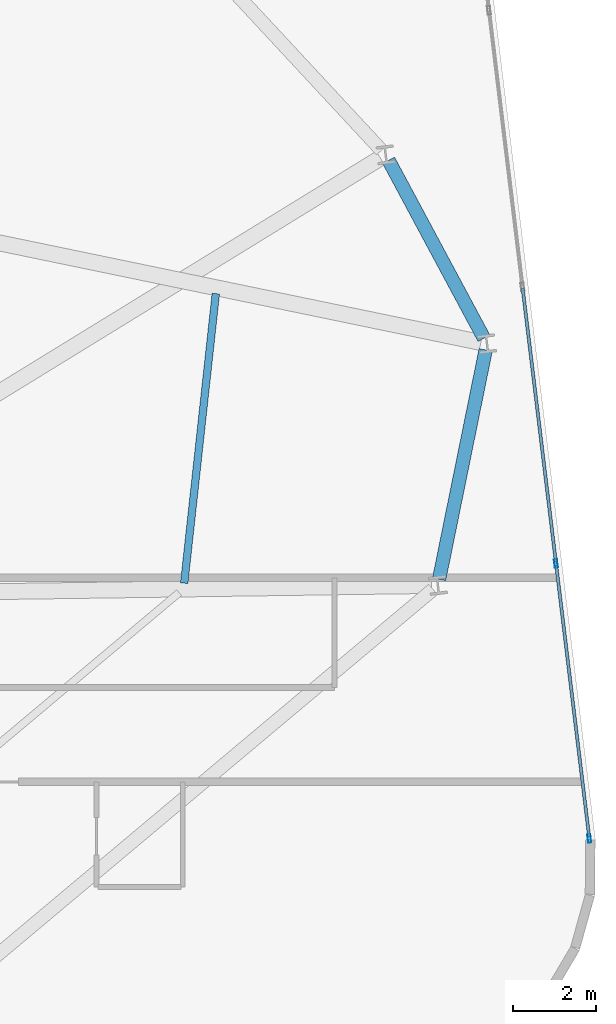
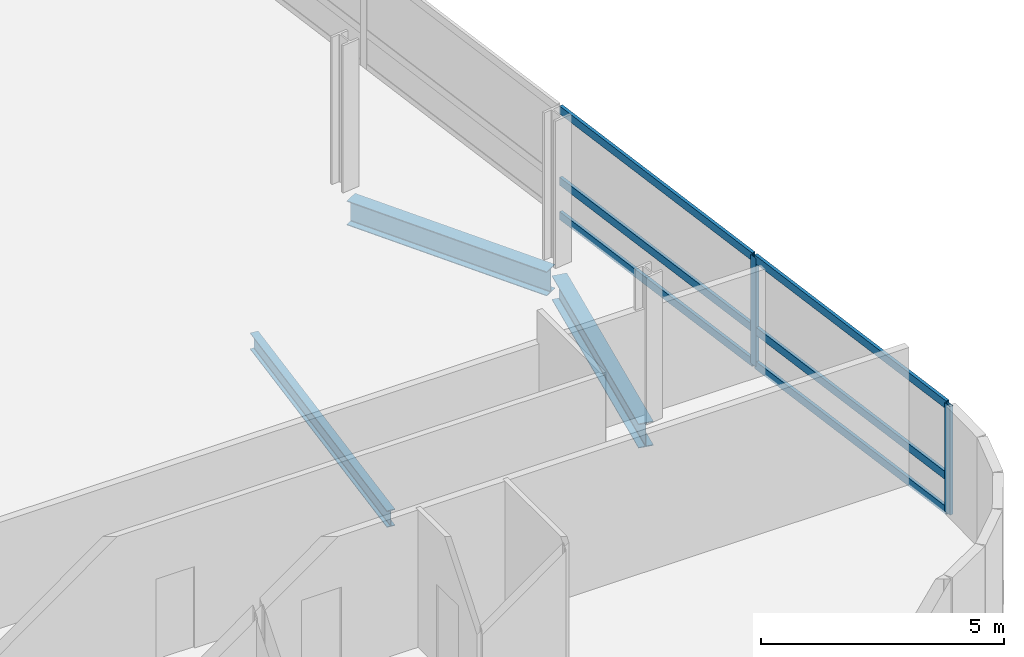
# One storey, part 10 of 23: 8 members, 3 beams, 1 element without a shape of its own.
"""IFC4 building model written with IfcOpenShell, lengths in metres."""

from ifc_helpers import new_model, si_unit, direction, frame, origin, origin_2d, place, context, subcontext, project, spatial, hollow_rectangle, i_section, extrude, material, layer, layer_set, material_profile, profile_set, type_object, element, aggregate, save


model = new_model("IFC4")

# Units and contexts
model_context = context("Model", 3, precision=1e-05, world=origin(), true_north=direction((0.0, 1.0)))
body_context = subcontext(model_context, "Body", "Model", "MODEL_VIEW")
ifc_project = project(units=[si_unit("LENGTHUNIT", "METRE"), si_unit("AREAUNIT", "SQUARE_METRE"), si_unit("VOLUMEUNIT", "CUBIC_METRE"), si_unit("PLANEANGLEUNIT", "RADIAN"), si_unit("MASSUNIT", "GRAM", prefix="KILO")], contexts=[model_context])

# Site, building, storey
site_placement = place(None, origin())
site = spatial("IfcSite", under=ifc_project, at=site_placement, CompositionType="ELEMENT")
building_placement = place(site_placement, origin())
building = spatial("IfcBuilding", under=site, at=building_placement, Name="Varnelok Gate Tower", CompositionType="ELEMENT")
storey_placement = place(building_placement, frame((0.0, 0.0, 200.5)))
storey = spatial("IfcBuildingStorey", under=building, at=storey_placement, Name="L51", CompositionType="ELEMENT", Elevation=200.5)

# Beams
ifc_material_1 = material(Name="Structural Steel ASTM A992 Grade 50", Category="steel")
ifc_material_profile_1 = material_profile(ifc_material_1, i_section(OverallWidth=0.180908203125, OverallDepth=0.4169921875, WebThickness=0.010986328125, FlangeThickness=0.018310546875, FilletRadius=0.013916015625, at=origin_2d()), Name="W16X57")
ifc_profile_set_1 = profile_set([ifc_material_profile_1], Name="Structural Steel ASTM A992 Grade 50")
beam_type_1 = type_object("IfcBeamType", Name="BM-JST-W16X57", PredefinedType="JOIST", material=ifc_profile_set_1)
beam_1_placement = place(storey_placement, frame((66.394775390625, 19.11279296875, -0.45849609375), z_axis=(0.108570611671, 0.994088739641, 0.0), x_axis=(-0.994088739641, 0.108570611671, 0.0)))
element("IfcBeam", 1, at=beam_1_placement, inside=storey, type_object=beam_type_1, Name="L51 Sector Floor Joist 6", PredefinedType="JOIST", context=body_context, shape_type="SweptSolid", body=[
    extrude(i_section(OverallWidth=0.180908203125, OverallDepth=0.4169921875, WebThickness=0.010986328125, FlangeThickness=0.018310546875, FilletRadius=0.013916015625, at=origin_2d()), origin(), (0.0, 0.0, 1.0), 6.984375),
])
ifc_material_profile_2 = material_profile(ifc_material_1, i_section(OverallWidth=0.323974609375, OverallDepth=0.611083984375, WebThickness=0.0126953125, FlangeThickness=0.01904296875, FilletRadius=0.01806640625, at=origin_2d()), Name="W24X104")
ifc_profile_set_2 = profile_set([ifc_material_profile_2], Name="Structural Steel ASTM A992 Grade 50")
beam_type_2 = type_object("IfcBeamType", Name="BM-SPN-W24X104", PredefinedType="SPANDREL", material=ifc_profile_set_2)
beam_2_placement = place(storey_placement, frame((72.5068359375, 19.206298828125, -0.555419921875), z_axis=(0.19911018886, 0.979977108249, 0.0), x_axis=(-0.979977108249, 0.19911018886, 0.0)))
element("IfcBeam", 2, at=beam_2_placement, inside=storey, type_object=beam_type_2, Name="L51 Perimeter Spandrel Beam 6", PredefinedType="SPANDREL", context=body_context, shape_type="SweptSolid", body=[
    extrude(i_section(OverallWidth=0.323974609375, OverallDepth=0.611083984375, WebThickness=0.0126953125, FlangeThickness=0.01904296875, FilletRadius=0.01806640625, at=origin_2d()), origin(), (0.0, 0.0, 1.0), 5.612060546875),
])
beam_3_placement = place(storey_placement, frame((73.583251953125, 24.9853515625, -0.555419921875), z_axis=(-0.472471917257, 0.881345725242, 0.0), x_axis=(-0.881345725242, -0.472471917257, 0.0)))
element("IfcBeam", 3, at=beam_3_placement, inside=storey, type_object=beam_type_2, Name="L51 Perimeter Spandrel Beam 7", PredefinedType="SPANDREL", context=body_context, shape_type="SweptSolid", body=[
    extrude(i_section(OverallWidth=0.323974609375, OverallDepth=0.611083984375, WebThickness=0.0126953125, FlangeThickness=0.01904296875, FilletRadius=0.01806640625, at=origin_2d()), origin(), (0.0, 0.0, 1.0), 4.8408203125),
])

# Curtain wall, members
ifc_material_2 = material(Name="Anodized Aluminum Alloy 6063-T6", Category="aluminium")
ifc_layer = layer(ifc_material_2, 0.179931640625)
ifc_layer_set = layer_set([ifc_layer], Name="Anodized Aluminum Alloy 6063-T6")
curtain_wall_type = type_object("IfcCurtainWallType", Name="CW4-RESIDENCE-VISION", PredefinedType="USERDEFINED", material=ifc_layer_set)
curtain_wall_placement = place(storey_placement, origin())
curtain_wall = element("IfcCurtainWall", 4, at=curtain_wall_placement, inside=storey, type_object=curtain_wall_type, Name="L51 East End Vision Curtain Wall", ObjectType="UNITISED CURTAIN WALL", PredefinedType="USERDEFINED")
ifc_material_profile_3 = material_profile(ifc_material_2, hollow_rectangle(XDim=0.074951171875, YDim=0.199951171875, WallThickness=0.00390625, at=origin_2d()), Name="ALU200X75X4")
ifc_profile_set_3 = profile_set([ifc_material_profile_3], Name="Anodized Aluminum Alloy 6063-T6")
member_type_1 = type_object("IfcMemberType", Name="CW-MULL-200", PredefinedType="MULLION", material=ifc_profile_set_3)
member_1_placement = place(storey_placement, frame((75.310302734375, 19.584228515625, 0.0), z_axis=(0.0, 0.0, 1.0), x_axis=(0.992732188751, 0.120344511371, 0.0)))
member_1 = element("IfcMember", 5, at=member_1_placement, type_object=member_type_1, Name="CW4 mullion 5", PredefinedType="MULLION", context=body_context, shape_type="SweptSolid", body=[
    extrude(hollow_rectangle(XDim=0.074951171875, YDim=0.199951171875, WallThickness=0.00390625, at=origin_2d()), origin(), (0.0, 0.0, 1.0), 2.72998046875),
])
member_2_placement = place(storey_placement, frame((76.109619140625, 12.989990234375, 0.0), z_axis=(0.0, 0.0, 1.0), x_axis=(0.992732188751, 0.120344511371, 0.0)))
member_2 = element("IfcMember", 6, at=member_2_placement, type_object=member_type_1, Name="CW4 mullion 6", PredefinedType="MULLION", context=body_context, shape_type="SweptSolid", body=[
    extrude(hollow_rectangle(XDim=0.074951171875, YDim=0.199951171875, WallThickness=0.00390625, at=origin_2d()), origin(), (0.0, 0.0, 1.0), 2.72998046875),
])
ifc_material_profile_4 = material_profile(ifc_material_2, hollow_rectangle(XDim=0.074951171875, YDim=0.199951171875, WallThickness=0.00390625, at=origin_2d()), Name="ALU200X75X4")
ifc_profile_set_4 = profile_set([ifc_material_profile_4], Name="Anodized Aluminum Alloy 6063-T6")
member_type_2 = type_object("IfcMemberType", Name="CW-TRAN-200", PredefinedType="USERDEFINED", material=ifc_profile_set_4)
member_3_placement = place(storey_placement, frame((74.510986328125, 26.178466796875, 0.03759765625), z_axis=(0.120349029092, -0.992731641078, 0.0), x_axis=(0.992731641078, 0.120349029092, 0.0)))
member_3 = element("IfcMember", 7, at=member_3_placement, type_object=member_type_2, Name="CW4 transom 4.1", ObjectType="TRANSOM", PredefinedType="USERDEFINED", context=body_context, shape_type="SweptSolid", body=[
    extrude(hollow_rectangle(XDim=0.074951171875, YDim=0.199951171875, WallThickness=0.00390625, at=origin_2d()), origin(), (0.0, 0.0, 1.0), 6.605224609375),
])
member_4_placement = place(storey_placement, frame((74.510986328125, 26.178466796875, 0.89990234375), z_axis=(0.120349029092, -0.992731641078, 0.0), x_axis=(0.992731641078, 0.120349029092, 0.0)))
member_4 = element("IfcMember", 8, at=member_4_placement, type_object=member_type_2, Name="CW4 transom 4.2", ObjectType="TRANSOM", PredefinedType="USERDEFINED", context=body_context, shape_type="SweptSolid", body=[
    extrude(hollow_rectangle(XDim=0.074951171875, YDim=0.199951171875, WallThickness=0.00390625, at=origin_2d()), origin(), (0.0, 0.0, 1.0), 6.605224609375),
])
member_5_placement = place(storey_placement, frame((74.510986328125, 26.178466796875, 2.6923828125), z_axis=(0.120349029092, -0.992731641078, 0.0), x_axis=(0.992731641078, 0.120349029092, 0.0)))
member_5 = element("IfcMember", 9, at=member_5_placement, type_object=member_type_2, Name="CW4 transom 4.3", ObjectType="TRANSOM", PredefinedType="USERDEFINED", context=body_context, shape_type="SweptSolid", body=[
    extrude(hollow_rectangle(XDim=0.074951171875, YDim=0.199951171875, WallThickness=0.00390625, at=origin_2d()), origin(), (0.0, 0.0, 1.0), 6.605224609375),
])
member_6_placement = place(storey_placement, frame((75.314697265625, 19.546875, 0.03759765625), z_axis=(0.120369113246, -0.992729206066, 0.0), x_axis=(0.992729206066, 0.120369113246, 0.0)))
member_6 = element("IfcMember", 10, at=member_6_placement, type_object=member_type_2, Name="CW4 transom 5.1", ObjectType="TRANSOM", PredefinedType="USERDEFINED", context=body_context, shape_type="SweptSolid", body=[
    extrude(hollow_rectangle(XDim=0.074951171875, YDim=0.199951171875, WallThickness=0.00390625, at=origin_2d()), origin(), (0.0, 0.0, 1.0), 6.567626953125),
])
member_7_placement = place(storey_placement, frame((75.314697265625, 19.546875, 0.89990234375), z_axis=(0.120369113246, -0.992729206066, 0.0), x_axis=(0.992729206066, 0.120369113246, 0.0)))
member_7 = element("IfcMember", 11, at=member_7_placement, type_object=member_type_2, Name="CW4 transom 5.2", ObjectType="TRANSOM", PredefinedType="USERDEFINED", context=body_context, shape_type="SweptSolid", body=[
    extrude(hollow_rectangle(XDim=0.074951171875, YDim=0.199951171875, WallThickness=0.00390625, at=origin_2d()), origin(), (0.0, 0.0, 1.0), 6.567626953125),
])
member_8_placement = place(storey_placement, frame((75.314697265625, 19.546875, 2.6923828125), z_axis=(0.120369113246, -0.992729206066, 0.0), x_axis=(0.992729206066, 0.120369113246, 0.0)))
member_8 = element("IfcMember", 12, at=member_8_placement, type_object=member_type_2, Name="CW4 transom 5.3", ObjectType="TRANSOM", PredefinedType="USERDEFINED", context=body_context, shape_type="SweptSolid", body=[
    extrude(hollow_rectangle(XDim=0.074951171875, YDim=0.199951171875, WallThickness=0.00390625, at=origin_2d()), origin(), (0.0, 0.0, 1.0), 6.567626953125),
])
aggregate(curtain_wall, [member_1, member_2, member_3, member_4, member_5, member_6, member_7, member_8])

save(model, "model.ifc")
